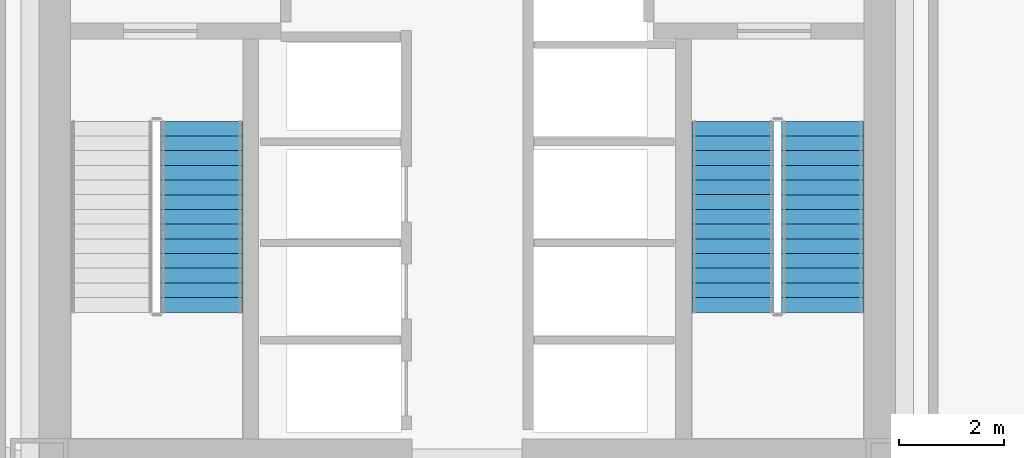
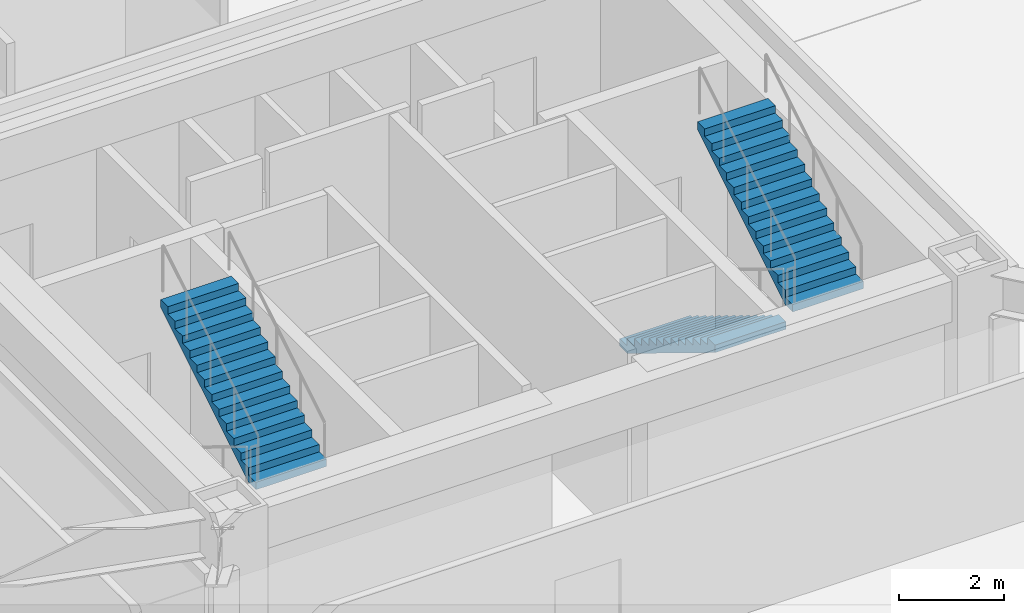
# One storey, part 4 of 10: 3 stair flights, 2 elements without a shape of their own.
"""IFC4 building model written with IfcOpenShell, lengths in metres."""

from ifc_helpers import new_model, si_unit, direction, frame, origin, place, context, subcontext, project, spatial, polyline, outline, extrude, material, type_object, element, aggregate, save


model = new_model("IFC4")

# Units and contexts
model_context = context("Model", 3, precision=1e-05, world=origin(), true_north=direction((0.0, 1.0)))
body_context = subcontext(model_context, "Body", "Model", "MODEL_VIEW")
ifc_project = project(units=[si_unit("LENGTHUNIT", "METRE"), si_unit("AREAUNIT", "SQUARE_METRE"), si_unit("VOLUMEUNIT", "CUBIC_METRE"), si_unit("PLANEANGLEUNIT", "RADIAN"), si_unit("MASSUNIT", "GRAM", prefix="KILO")], contexts=[model_context])

# Site, building, storey
site_placement = place(None, origin())
site = spatial("IfcSite", under=ifc_project, at=site_placement, CompositionType="ELEMENT")
building_placement = place(site_placement, origin())
building = spatial("IfcBuilding", under=site, at=building_placement, Name="Oramaril Tower", CompositionType="ELEMENT")
storey_placement = place(building_placement, frame((0.0, 0.0, 22.5)))
storey = spatial("IfcBuildingStorey", under=building, at=storey_placement, Name="L05", CompositionType="ELEMENT", Elevation=22.5)

# Stair, stair flight
ifc_material_1 = material(Name="Concrete C50/60", Category="concrete")
stair_type = type_object("IfcStairType", Name="STT-DG-4800", PredefinedType="HALF_TURN_STAIR", material=ifc_material_1)
stair_1_placement = place(storey_placement, origin())
stair_1 = element("IfcStair", 1, at=stair_1_placement, inside=storey, type_object=stair_type, Name="L05 Protected PFP Exit Stair ST-1", PredefinedType="HALF_TURN_STAIR")
ifc_material_2 = material(Name="Concrete C50/60", Category="concrete")
stair_flight_type = type_object("IfcStairFlightType", Name="SFT-DG-4800", PredefinedType="STRAIGHT", material=ifc_material_2)
stair_flight_1_placement = place(storey_placement, frame((32.43994140625, 13.949951171875, 2.39990234375), z_axis=(0.0, 0.0, 1.0), x_axis=(0.0, 1.0, 0.0)))
stair_flight_1 = element("IfcStairFlight", 2, at=stair_flight_1_placement, type_object=stair_flight_type, Name="ST-1 flight 2", NumberOfRisers=14, NumberOfTreads=13, PredefinedType="STRAIGHT", RiserHeight=0.171428571, TreadLength=0.28, context=body_context, shape_type="SweptSolid", body=[
    extrude(outline(polyline([(0.0, 0.0), (0.0, 0.17138671875), (0.280029296875, 0.17138671875), (0.280029296875, 0.3427734375), (0.56005859375, 0.3427734375), (0.56005859375, 0.514404296875), (0.840087890625, 0.514404296875), (0.840087890625, 0.685791015625), (1.1201171875, 0.685791015625), (1.1201171875, 0.857177734375), (1.39990234375, 0.857177734375), (1.39990234375, 1.028564453125), (1.679931640625, 1.028564453125), (1.679931640625, 1.199951171875), (1.9599609375, 1.199951171875), (1.9599609375, 1.371337890625), (2.239990234375, 1.371337890625), (2.239990234375, 1.54296875), (2.52001953125, 1.54296875), (2.52001953125, 1.71435546875), (2.800048828125, 1.71435546875), (2.800048828125, 1.8857421875), (3.080078125, 1.8857421875), (3.080078125, 2.05712890625), (3.360107421875, 2.05712890625), (3.360107421875, 2.228515625), (3.639892578125, 2.228515625), (3.639892578125, 2.39990234375), (3.639892578125, 2.052734375), (0.287109375, 0.0), (0.0, 0.0)])), frame((0.0, 0.780029296875, 0.0), z_axis=(0.0, -1.0, 0.0), x_axis=(1.0, 0.0, 0.0)), (0.0, 0.0, 1.0), 1.56005859375),
])
aggregate(stair_1, [stair_flight_1])

# Stair, stair flights
stair_2_placement = place(storey_placement, origin())
stair_2 = element("IfcStair", 3, at=stair_2_placement, inside=storey, type_object=stair_type, Name="L05 Protected PFP Exit Stair ST-2", PredefinedType="HALF_TURN_STAIR")
stair_flight_2_placement = place(storey_placement, frame((42.56005859375, 17.590087890625, 0.0), z_axis=(0.0, 0.0, 1.0), x_axis=(0.0, -1.0, 0.0)))
stair_flight_2 = element("IfcStairFlight", 4, at=stair_flight_2_placement, type_object=stair_flight_type, Name="ST-2 flight 1", NumberOfRisers=14, NumberOfTreads=13, PredefinedType="STRAIGHT", RiserHeight=0.171428571, TreadLength=0.28, context=body_context, shape_type="SweptSolid", body=[
    extrude(outline(polyline([(0.0, 0.0), (0.0, 0.17138671875), (0.280029296875, 0.17138671875), (0.280029296875, 0.3427734375), (0.56005859375, 0.3427734375), (0.56005859375, 0.514404296875), (0.840087890625, 0.514404296875), (0.840087890625, 0.685791015625), (1.1201171875, 0.685791015625), (1.1201171875, 0.857177734375), (1.39990234375, 0.857177734375), (1.39990234375, 1.028564453125), (1.679931640625, 1.028564453125), (1.679931640625, 1.199951171875), (1.9599609375, 1.199951171875), (1.9599609375, 1.371337890625), (2.239990234375, 1.371337890625), (2.239990234375, 1.54296875), (2.52001953125, 1.54296875), (2.52001953125, 1.71435546875), (2.800048828125, 1.71435546875), (2.800048828125, 1.8857421875), (3.080078125, 1.8857421875), (3.080078125, 2.05712890625), (3.360107421875, 2.05712890625), (3.360107421875, 2.228515625), (3.639892578125, 2.228515625), (3.639892578125, 2.39990234375), (3.639892578125, 2.052734375), (0.287109375, 0.0), (0.0, 0.0)])), frame((0.0, 0.780029296875, 0.0), z_axis=(0.0, -1.0, 0.0), x_axis=(1.0, 0.0, 0.0)), (0.0, 0.0, 1.0), 1.56005859375),
])
stair_flight_3_placement = place(storey_placement, frame((44.27001953125, 13.949951171875, 2.39990234375), z_axis=(0.0, 0.0, 1.0), x_axis=(0.0, 1.0, 0.0)))
stair_flight_3 = element("IfcStairFlight", 5, at=stair_flight_3_placement, type_object=stair_flight_type, Name="ST-2 flight 2", NumberOfRisers=14, NumberOfTreads=13, PredefinedType="STRAIGHT", RiserHeight=0.171428571, TreadLength=0.28, context=body_context, shape_type="SweptSolid", body=[
    extrude(outline(polyline([(0.0, 0.0), (0.0, 0.17138671875), (0.280029296875, 0.17138671875), (0.280029296875, 0.3427734375), (0.56005859375, 0.3427734375), (0.56005859375, 0.514404296875), (0.840087890625, 0.514404296875), (0.840087890625, 0.685791015625), (1.1201171875, 0.685791015625), (1.1201171875, 0.857177734375), (1.39990234375, 0.857177734375), (1.39990234375, 1.028564453125), (1.679931640625, 1.028564453125), (1.679931640625, 1.199951171875), (1.9599609375, 1.199951171875), (1.9599609375, 1.371337890625), (2.239990234375, 1.371337890625), (2.239990234375, 1.54296875), (2.52001953125, 1.54296875), (2.52001953125, 1.71435546875), (2.800048828125, 1.71435546875), (2.800048828125, 1.8857421875), (3.080078125, 1.8857421875), (3.080078125, 2.05712890625), (3.360107421875, 2.05712890625), (3.360107421875, 2.228515625), (3.639892578125, 2.228515625), (3.639892578125, 2.39990234375), (3.639892578125, 2.052734375), (0.287109375, 0.0), (0.0, 0.0)])), frame((0.0, 0.780029296875, 0.0), z_axis=(0.0, -1.0, 0.0), x_axis=(1.0, 0.0, 0.0)), (0.0, 0.0, 1.0), 1.56005859375),
])
aggregate(stair_2, [stair_flight_2, stair_flight_3])

save(model, "model.ifc")
